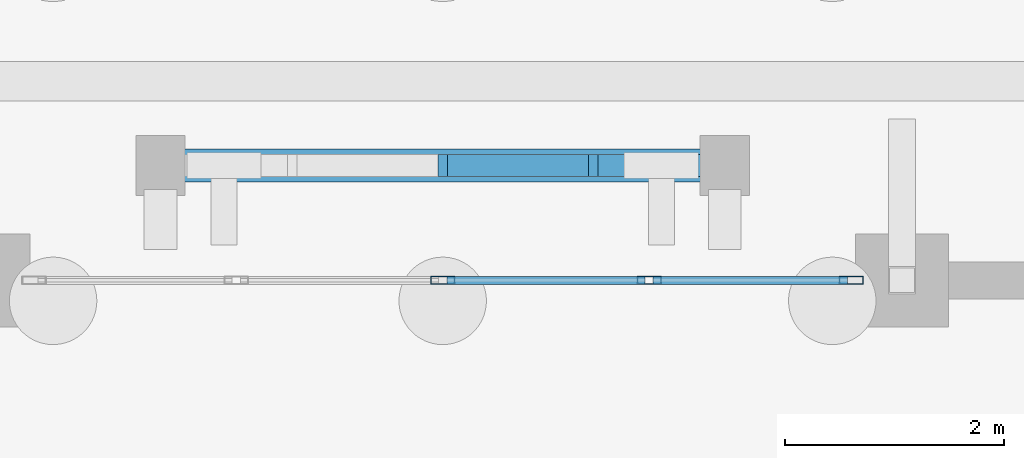
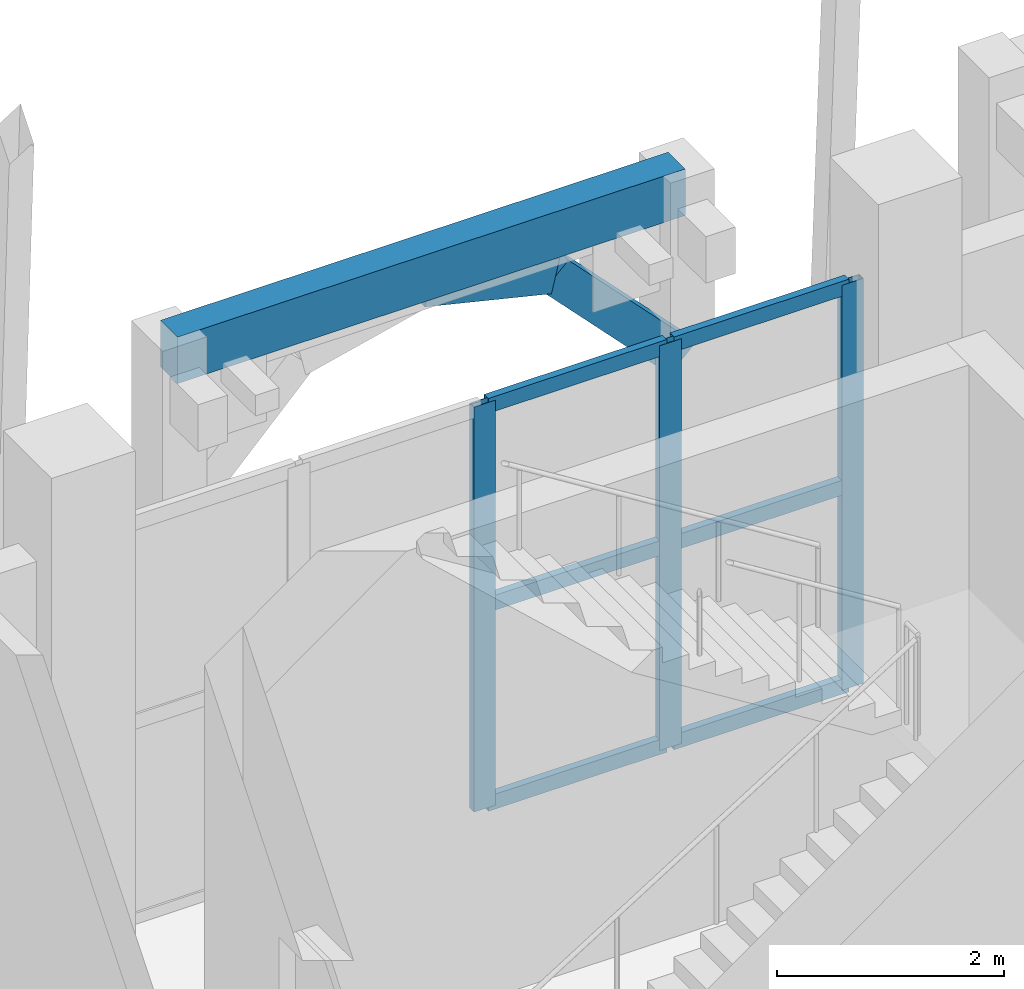
# One storey, part 38 of 98: 11 members, 1 beam, 1 element without a shape of its own.
"""IFC4 building model written with IfcOpenShell, lengths in metres."""

from ifc_helpers import new_model, si_unit, direction, frame, origin, origin_2d, place, context, subcontext, project, spatial, rectangle, hollow_rectangle, extrude, material, layer, layer_set, material_profile, profile_set, type_object, element, aggregate, save


model = new_model("IFC4")

# Units and contexts
model_context = context("Model", 3, precision=1e-05, world=origin(), true_north=direction((0.0, 1.0)))
body_context = subcontext(model_context, "Body", "Model", "MODEL_VIEW")
ifc_project = project(units=[si_unit("LENGTHUNIT", "METRE"), si_unit("AREAUNIT", "SQUARE_METRE"), si_unit("VOLUMEUNIT", "CUBIC_METRE"), si_unit("PLANEANGLEUNIT", "RADIAN"), si_unit("MASSUNIT", "GRAM", prefix="KILO")], contexts=[model_context])

# Site, building, storey
site_placement = place(None, origin())
site = spatial("IfcSite", under=ifc_project, at=site_placement, CompositionType="ELEMENT")
building_placement = place(site_placement, origin())
building = spatial("IfcBuilding", under=site, at=building_placement, Name="Xazarin Passage Department Store", CompositionType="ELEMENT")
storey_placement = place(building_placement, origin())
storey = spatial("IfcBuildingStorey", under=building, at=storey_placement, Name="L00", CompositionType="ELEMENT", Elevation=0.0)

# Curtain wall, members
ifc_material_1 = material(Name="Bronze anodised aluminium", Category="aluminium")
ifc_layer = layer(ifc_material_1, 0.179931640625)
ifc_layer_set = layer_set([ifc_layer], Name="Bronze anodised aluminium")
curtain_wall_type = type_object("IfcCurtainWallType", Name="ARC-CW-VIT1", PredefinedType="NOTDEFINED", material=ifc_layer_set)
curtain_wall_placement = place(storey_placement, origin())
curtain_wall = element("IfcCurtainWall", 1, at=curtain_wall_placement, inside=storey, type_object=curtain_wall_type, Name="L00 V1 Curtain Wall 003", PredefinedType="NOTDEFINED")
ifc_material_profile_1 = material_profile(ifc_material_1, hollow_rectangle(XDim=0.074951171875, YDim=0.219970703125, WallThickness=0.0048828125, at=origin_2d()), Name="ALU 75x220")
ifc_profile_set_1 = profile_set([ifc_material_profile_1], Name="Bronze anodised aluminium")
member_type_1 = type_object("IfcMemberType", Name="ARC-CWM-75x220", PredefinedType="MULLION", material=ifc_profile_set_1)
member_1_placement = place(storey_placement, frame((29.39990234375, 110.0, 0.0), z_axis=(0.0, 0.0, 1.0), x_axis=(0.0, 1.0, 0.0)))
member_1 = element("IfcMember", 2, at=member_1_placement, type_object=member_type_1, Name="CW1 mullion 3", PredefinedType="MULLION", context=body_context, shape_type="SweptSolid", body=[
    extrude(hollow_rectangle(XDim=0.074951171875, YDim=0.219970703125, WallThickness=0.0048828125, at=origin_2d()), origin(), (0.0, 0.0, 1.0), 4.35009765625),
])
member_2_placement = place(storey_placement, frame((31.28759765625, 110.0, 0.0), z_axis=(0.0, 0.0, 1.0), x_axis=(0.0, 1.0, 0.0)))
member_2 = element("IfcMember", 3, at=member_2_placement, type_object=member_type_1, Name="CW1 mullion 4", PredefinedType="MULLION", context=body_context, shape_type="SweptSolid", body=[
    extrude(hollow_rectangle(XDim=0.074951171875, YDim=0.219970703125, WallThickness=0.0048828125, at=origin_2d()), origin(), (0.0, 0.0, 1.0), 4.35009765625),
])
member_3_placement = place(storey_placement, frame((33.137451171875, 110.0, 0.0), z_axis=(0.0, 0.0, 1.0), x_axis=(0.0, 1.0, 0.0)))
member_3 = element("IfcMember", 4, at=member_3_placement, type_object=member_type_1, Name="CW1 mullion 5", PredefinedType="MULLION", context=body_context, shape_type="SweptSolid", body=[
    extrude(hollow_rectangle(XDim=0.074951171875, YDim=0.219970703125, WallThickness=0.0048828125, at=origin_2d()), origin(), (0.0, 0.0, 1.0), 4.35009765625),
])
ifc_material_profile_2 = material_profile(ifc_material_1, hollow_rectangle(XDim=0.074951171875, YDim=0.159912109375, WallThickness=0.00439453125, at=origin_2d()), Name="ALU 75x160")
ifc_profile_set_2 = profile_set([ifc_material_profile_2], Name="Bronze anodised aluminium")
member_type_2 = type_object("IfcMemberType", Name="ARC-CWT-75x160", PredefinedType="USERDEFINED", material=ifc_profile_set_2)
member_4_placement = place(storey_placement, frame((29.4375, 110.0, 0.03759765625), z_axis=(1.0, 0.0, 0.0), x_axis=(0.0, 1.0, 0.0)))
member_4 = element("IfcMember", 5, at=member_4_placement, type_object=member_type_2, Name="CW1 transom 3.1", ObjectType="TRANSOM", PredefinedType="USERDEFINED", context=body_context, shape_type="SweptSolid", body=[
    extrude(hollow_rectangle(XDim=0.074951171875, YDim=0.159912109375, WallThickness=0.00439453125, at=origin_2d()), origin(), (0.0, 0.0, 1.0), 1.8125),
])
member_5_placement = place(storey_placement, frame((29.4375, 110.0, 2.175048828125), z_axis=(1.0, 0.0, 0.0), x_axis=(0.0, 1.0, 0.0)))
member_5 = element("IfcMember", 6, at=member_5_placement, type_object=member_type_2, Name="CW1 transom 3.2", ObjectType="TRANSOM", PredefinedType="USERDEFINED", context=body_context, shape_type="SweptSolid", body=[
    extrude(hollow_rectangle(XDim=0.074951171875, YDim=0.159912109375, WallThickness=0.00439453125, at=origin_2d()), origin(), (0.0, 0.0, 1.0), 1.8125),
])
member_6_placement = place(storey_placement, frame((29.4375, 110.0, 4.3125), z_axis=(1.0, 0.0, 0.0), x_axis=(0.0, 1.0, 0.0)))
member_6 = element("IfcMember", 7, at=member_6_placement, type_object=member_type_2, Name="CW1 transom 3.3", ObjectType="TRANSOM", PredefinedType="USERDEFINED", context=body_context, shape_type="SweptSolid", body=[
    extrude(hollow_rectangle(XDim=0.074951171875, YDim=0.159912109375, WallThickness=0.00439453125, at=origin_2d()), origin(), (0.0, 0.0, 1.0), 1.8125),
])
member_7_placement = place(storey_placement, frame((31.324951171875, 110.0, 0.03759765625), z_axis=(1.0, 0.0, 0.0), x_axis=(0.0, 1.0, 0.0)))
member_7 = element("IfcMember", 8, at=member_7_placement, type_object=member_type_2, Name="CW1 transom 4.1", ObjectType="TRANSOM", PredefinedType="USERDEFINED", context=body_context, shape_type="SweptSolid", body=[
    extrude(hollow_rectangle(XDim=0.074951171875, YDim=0.159912109375, WallThickness=0.00439453125, at=origin_2d()), origin(), (0.0, 0.0, 1.0), 1.775146484375),
])
member_8_placement = place(storey_placement, frame((31.324951171875, 110.0, 2.175048828125), z_axis=(1.0, 0.0, 0.0), x_axis=(0.0, 1.0, 0.0)))
member_8 = element("IfcMember", 9, at=member_8_placement, type_object=member_type_2, Name="CW1 transom 4.2", ObjectType="TRANSOM", PredefinedType="USERDEFINED", context=body_context, shape_type="SweptSolid", body=[
    extrude(hollow_rectangle(XDim=0.074951171875, YDim=0.159912109375, WallThickness=0.00439453125, at=origin_2d()), origin(), (0.0, 0.0, 1.0), 1.775146484375),
])
member_9_placement = place(storey_placement, frame((31.324951171875, 110.0, 4.3125), z_axis=(1.0, 0.0, 0.0), x_axis=(0.0, 1.0, 0.0)))
member_9 = element("IfcMember", 10, at=member_9_placement, type_object=member_type_2, Name="CW1 transom 4.3", ObjectType="TRANSOM", PredefinedType="USERDEFINED", context=body_context, shape_type="SweptSolid", body=[
    extrude(hollow_rectangle(XDim=0.074951171875, YDim=0.159912109375, WallThickness=0.00439453125, at=origin_2d()), origin(), (0.0, 0.0, 1.0), 1.775146484375),
])
aggregate(curtain_wall, [member_1, member_2, member_3, member_4, member_5, member_6, member_7, member_8, member_9])

# Beam
ifc_material_2 = material(Name="Concrete C35/45", Category="concrete")
ifc_material_profile_3 = material_profile(ifc_material_2, rectangle(XDim=0.300048828125, YDim=0.5, at=origin_2d()), Name="RC 300x500")
ifc_profile_set_3 = profile_set([ifc_material_profile_3], Name="Concrete C35/45")
beam_type = type_object("IfcBeamType", Name="STR-BM-LN300x500", PredefinedType="LINTEL", material=ifc_profile_set_3)
beam_placement = place(storey_placement, frame((26.820068359375, 111.050048828125, 5.14990234375), z_axis=(1.0, 0.0, 0.0), x_axis=(0.0, 1.0, 0.0)))
element("IfcBeam", 11, at=beam_placement, inside=storey, type_object=beam_type, Name="L00 V1 Colonnade Spandrel Beam 002", PredefinedType="LINTEL", context=body_context, shape_type="SweptSolid", body=[
    extrude(rectangle(XDim=0.300048828125, YDim=0.5, at=origin_2d()), origin(), (0.0, 0.0, 1.0), 5.159912109375),
])

# Members
ifc_material_3 = material(Name="Concrete C40/50", Category="concrete")
ifc_material_profile_4 = material_profile(ifc_material_3, rectangle(XDim=0.199951171875, YDim=0.360107421875, at=origin_2d()), Name="RC 200x360")
ifc_profile_set_4 = profile_set([ifc_material_profile_4], Name="Concrete C40/50")
member_type_3 = type_object("IfcMemberType", Name="STR-MEM-ARC360", PredefinedType="CHORD", material=ifc_profile_set_4)
member_10_placement = place(storey_placement, frame((29.39990234375, 111.050048828125, 4.97998046875), z_axis=(0.972393983317, 0.0, -0.233345111818), x_axis=(0.0, 1.0, 0.0)))
element("IfcMember", 12, at=member_10_placement, inside=storey, type_object=member_type_3, Name="L00 V1 Pierced Lattice Curved Arch 002.3", PredefinedType="CHORD", context=body_context, shape_type="SweptSolid", body=[
    extrude(rectangle(XDim=0.199951171875, YDim=0.360107421875, at=origin_2d()), origin(), (0.0, 0.0, 1.0), 1.32666015625),
])
member_11_placement = place(storey_placement, frame((30.68994140625, 111.050048828125, 4.67041015625), z_axis=(0.693460080602, 0.0, -0.720495049679), x_axis=(0.0, 1.0, 0.0)))
element("IfcMember", 13, at=member_11_placement, inside=storey, type_object=member_type_3, Name="L00 V1 Pierced Lattice Curved Arch 002.4", PredefinedType="CHORD", context=body_context, shape_type="SweptSolid", body=[
    extrude(rectangle(XDim=0.199951171875, YDim=0.360107421875, at=origin_2d()), origin(), (0.0, 0.0, 1.0), 1.8603515625),
])

save(model, "model.ifc")
